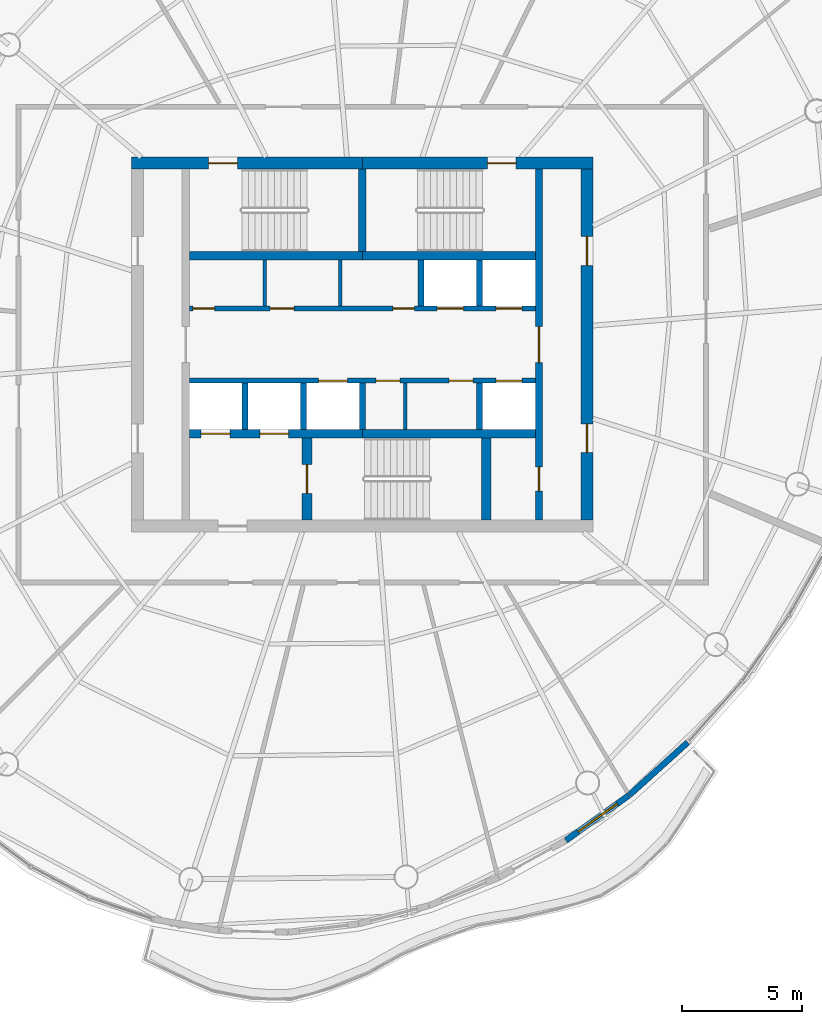
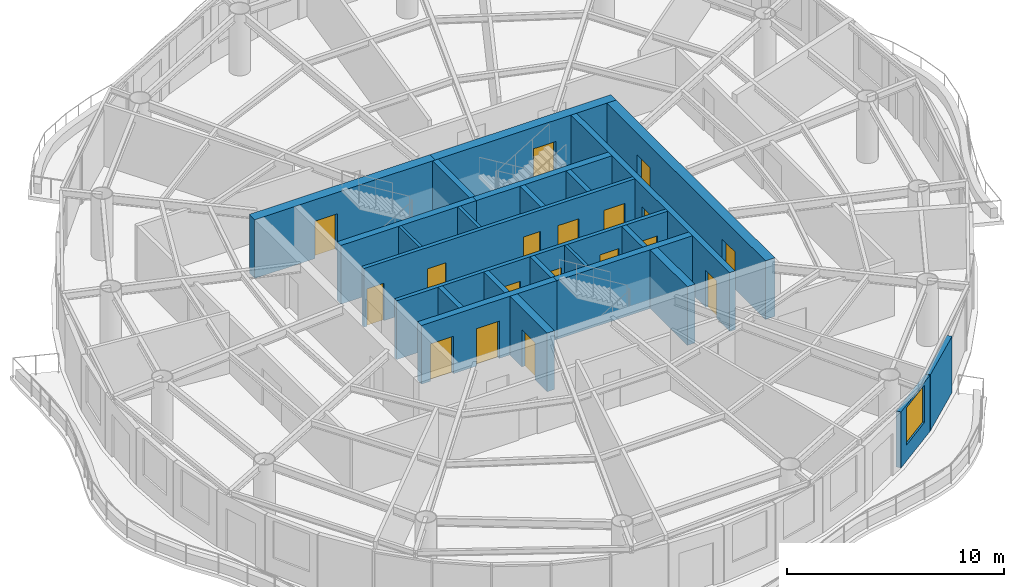
# One storey, part 9 of 14: 24 walls, 18 doors, 1 window, 19 openings.
"""IFC4 building model written with IfcOpenShell, lengths in metres."""

from ifc_helpers import new_model, si_unit, direction, frame, frame_2d, origin, place, context, subcontext, project, spatial, rectangle, extrude, material, layer, layer_set, type_object, element, fill, save


model = new_model("IFC4")

# Units and contexts
model_context = context("Model", 3, precision=1e-05, world=origin(), true_north=direction((0.0, 1.0)))
body_context = subcontext(model_context, "Body", "Model", "MODEL_VIEW")
ifc_project = project(units=[si_unit("LENGTHUNIT", "METRE"), si_unit("AREAUNIT", "SQUARE_METRE"), si_unit("VOLUMEUNIT", "CUBIC_METRE"), si_unit("PLANEANGLEUNIT", "RADIAN"), si_unit("MASSUNIT", "GRAM", prefix="KILO")], contexts=[model_context])

# Site, building, storey
site_placement = place(None, origin())
site = spatial("IfcSite", under=ifc_project, at=site_placement, CompositionType="ELEMENT")
building_placement = place(site_placement, origin())
building = spatial("IfcBuilding", under=site, at=building_placement, Name="Vermilion Reach Broadcast Tower", CompositionType="ELEMENT")
storey_placement = place(building_placement, frame((0.0, 0.0, 264.89990234375)))
storey = spatial("IfcBuildingStorey", under=building, at=storey_placement, Name="L65", CompositionType="ELEMENT", Elevation=264.89990234375)

# Wall, openings, doors
ifc_material_1 = material(Name="Concrete C50", Category="concrete")
ifc_layer_1 = layer(ifc_material_1, 0.300048828125)
ifc_layer_set_1 = layer_set([ifc_layer_1], Name="Core inner wall 300 mm Concrete C50")
wall_type_1 = type_object("IfcWallType", Name="Core inner wall 300 mm Concrete C50", PredefinedType="SHEAR", material=ifc_layer_set_1)
wall_1_placement = place(storey_placement, frame((1.35009765625, -7.300048828125, 0.0), z_axis=(0.0, 0.0, 1.0), x_axis=(0.0, 1.0, 0.0)))
wall_1 = element("IfcWall", 1, at=wall_1_placement, inside=storey, type_object=wall_type_1, Name="L65 core wall ewE", PredefinedType="SHEAR", context=body_context, shape_type="SweptSolid", body=[
    extrude(rectangle(XDim=14.60009765625, YDim=0.300048828125, at=frame_2d((7.300048828125, 0.0))), origin(), (0.0, 0.0, 1.0), 3.300048828125),
])
opening_1_placement = place(wall_1_placement, frame((1.2099609375, 0.0, 0.0)))
opening_1 = element("IfcOpeningElement", 2, at=opening_1_placement, cuts=wall_1, Name="Opening D05", PredefinedType="OPENING", context=body_context, shape_type="SweptSolid", body=[
    extrude(rectangle(XDim=1.0, YDim=2.10009765625, at=frame_2d((0.5, 1.050048828125))), frame((0.0, 0.159912109375, 0.0), z_axis=(0.0, -1.0, 0.0), x_axis=(1.0, 0.0, 0.0)), (0.0, 0.0, 1.0), 0.320068359375),
])
opening_2_placement = place(wall_1_placement, frame((6.550048828125, 0.0, 0.0)))
opening_2 = element("IfcOpeningElement", 3, at=opening_2_placement, cuts=wall_1, Name="Opening D04", PredefinedType="OPENING", context=body_context, shape_type="SweptSolid", body=[
    extrude(rectangle(XDim=1.5, YDim=2.10009765625, at=frame_2d((0.75, 1.050048828125))), frame((0.0, 0.159912109375, 0.0), z_axis=(0.0, -1.0, 0.0), x_axis=(1.0, 0.0, 0.0)), (0.0, 0.0, 1.0), 0.320068359375),
])
ifc_material_2 = material(Name="Painted steel fire door", Category="steel")
door_type_1 = type_object("IfcDoorType", Name="Lift lobby door 1500 x 2100", OperationType="DOUBLE_DOOR_SINGLE_SWING", PredefinedType="NOTDEFINED", material=ifc_material_2)
door_1_placement = place(opening_2_placement, origin())
door_1 = element("IfcDoor", 4, at=door_1_placement, inside=storey, type_object=door_type_1, Name="L65 band door BE", OperationType="DOUBLE_DOOR_SINGLE_SWING", OverallHeight=2.10009765625, OverallWidth=1.5, PredefinedType="NOTDEFINED", context=body_context, shape_type="SweptSolid", body=[
    extrude(rectangle(XDim=1.5, YDim=2.10009765625, at=frame_2d((0.75, 1.050048828125))), frame((0.0, 0.02490234375, 0.0), z_axis=(0.0, -1.0, 0.0), x_axis=(1.0, 0.0, 0.0)), (0.0, 0.0, 1.0), 0.050048828125),
])
fill(opening_2, door_1)
ifc_material_3 = material(Name="Timber door", Category="wood")
door_type_2 = type_object("IfcDoorType", Name="Room door 1000 x 2100", OperationType="NOTDEFINED", PredefinedType="NOTDEFINED", material=ifc_material_3)
door_2_placement = place(opening_1_placement, origin())
door_2 = element("IfcDoor", 5, at=door_2_placement, inside=storey, type_object=door_type_2, Name="L65 door SER", OperationType="SINGLE_SWING_LEFT", OverallHeight=2.10009765625, OverallWidth=1.0, PredefinedType="NOTDEFINED", context=body_context, shape_type="SweptSolid", body=[
    extrude(rectangle(XDim=1.0, YDim=2.10009765625, at=frame_2d((0.5, 1.050048828125))), frame((0.0, 0.02490234375, 0.0), z_axis=(0.0, -1.0, 0.0), x_axis=(1.0, 0.0, 0.0)), (0.0, 0.0, 1.0), 0.050048828125),
])
fill(opening_1, door_2)

# Walls
wall_2_placement = place(storey_placement, frame((-6.0, 3.8798828125, 0.0), z_axis=(0.0, 0.0, 1.0), x_axis=(0.0, 1.0, 0.0)))
element("IfcWall", 6, at=wall_2_placement, inside=storey, type_object=wall_type_1, Name="L65 core wall wc", PredefinedType="SHEAR", context=body_context, shape_type="SweptSolid", body=[
    extrude(rectangle(XDim=3.420166015625, YDim=0.300048828125, at=frame_2d((1.7099609375, 0.0))), origin(), (0.0, 0.0, 1.0), 3.300048828125),
])
ifc_material_4 = material(Name="Concrete C50", Category="concrete")
ifc_layer_2 = layer(ifc_material_4, 0.35009765625)
ifc_layer_set_2 = layer_set([ifc_layer_2], Name="Core inner wall 350 mm Concrete C50")
wall_type_2 = type_object("IfcWallType", Name="Core inner wall 350 mm Concrete C50", PredefinedType="SHEAR", material=ifc_layer_set_2)
for number, where, z_axis, x_axis, name in (
    (7, (-13.199951171875, 3.705078125, 0.0), (0.0, 0.0, 1.0), (1.0, 0.0, 0.0), "L65 core wall winW"),
    (8, (-6.0, 3.705078125, 0.0), (0.0, 0.0, 1.0), (1.0, 0.0, 0.0), "L65 core wall winE"),
):
    element("IfcWall", number, at=place(storey_placement, frame(where, z_axis=z_axis, x_axis=x_axis)), inside=storey, type_object=wall_type_2, Name=name, PredefinedType="SHEAR", context=body_context, shape_type="SweptSolid", body=[
        extrude(rectangle(XDim=7.199951171875, YDim=0.35009765625, at=frame_2d((3.60009765625, 0.0))), origin(), (0.0, 0.0, 1.0), 3.300048828125),
    ])

# Wall, openings, doors
wall_3_placement = place(storey_placement, frame((-13.199951171875, -3.705078125, 0.0), z_axis=(0.0, 0.0, 1.0), x_axis=(1.0, 0.0, 0.0)))
wall_3 = element("IfcWall", 9, at=wall_3_placement, inside=storey, type_object=wall_type_2, Name="L65 core wall wisW", PredefinedType="SHEAR", context=body_context, shape_type="SweptSolid", body=[
    extrude(rectangle(XDim=7.199951171875, YDim=0.35009765625, at=frame_2d((3.60009765625, 0.0))), origin(), (0.0, 0.0, 1.0), 3.300048828125),
])
opening_3_placement = place(wall_3_placement, frame((0.495849609375, 0.0, 0.0)))
opening_3 = element("IfcOpeningElement", 10, at=opening_3_placement, cuts=wall_3, Name="Opening LD1", PredefinedType="OPENING", context=body_context, shape_type="SweptSolid", body=[
    extrude(rectangle(XDim=1.199951171875, YDim=2.10009765625, at=frame_2d((0.60009765625, 1.050048828125))), frame((0.0, 0.18505859375, 0.0), z_axis=(0.0, -1.0, 0.0), x_axis=(1.0, 0.0, 0.0)), (0.0, 0.0, 1.0), 0.3701171875),
])
opening_4_placement = place(wall_3_placement, frame((2.9375, 0.0, 0.0)))
opening_4 = element("IfcOpeningElement", 11, at=opening_4_placement, cuts=wall_3, Name="Opening LD1", PredefinedType="OPENING", context=body_context, shape_type="SweptSolid", body=[
    extrude(rectangle(XDim=1.199951171875, YDim=2.10009765625, at=frame_2d((0.60009765625, 1.050048828125))), frame((0.0, 0.18505859375, 0.0), z_axis=(0.0, -1.0, 0.0), x_axis=(1.0, 0.0, 0.0)), (0.0, 0.0, 1.0), 0.3701171875),
])
ifc_material_5 = material(Name="Stainless steel", Category="steel")
door_type_3 = type_object("IfcDoorType", Name="Landing door 1200 x 2100", OperationType="DOUBLE_DOOR_SLIDING", PredefinedType="NOTDEFINED", material=ifc_material_5)
door_3_placement = place(opening_3_placement, origin())
door_3 = element("IfcDoor", 12, at=door_3_placement, inside=storey, type_object=door_type_3, Name="L65 landing door FF1", OperationType="DOUBLE_DOOR_SLIDING", OverallHeight=2.10009765625, OverallWidth=1.199951171875, PredefinedType="NOTDEFINED", context=body_context, shape_type="SweptSolid", body=[
    extrude(rectangle(XDim=1.199951171875, YDim=2.10009765625, at=frame_2d((0.60009765625, 1.050048828125))), frame((0.0, 0.02490234375, 0.0), z_axis=(0.0, -1.0, 0.0), x_axis=(1.0, 0.0, 0.0)), (0.0, 0.0, 1.0), 0.050048828125),
])
fill(opening_3, door_3)
door_4_placement = place(opening_4_placement, origin())
door_4 = element("IfcDoor", 13, at=door_4_placement, inside=storey, type_object=door_type_3, Name="L65 landing door FF2", OperationType="DOUBLE_DOOR_SLIDING", OverallHeight=2.10009765625, OverallWidth=1.199951171875, PredefinedType="NOTDEFINED", context=body_context, shape_type="SweptSolid", body=[
    extrude(rectangle(XDim=1.199951171875, YDim=2.10009765625, at=frame_2d((0.60009765625, 1.050048828125))), frame((0.0, 0.02490234375, 0.0), z_axis=(0.0, -1.0, 0.0), x_axis=(1.0, 0.0, 0.0)), (0.0, 0.0, 1.0), 0.050048828125),
])
fill(opening_4, door_4)

# Wall
wall_4_placement = place(storey_placement, frame((-6.0, -3.705078125, 0.0), z_axis=(0.0, 0.0, 1.0), x_axis=(1.0, 0.0, 0.0)))
element("IfcWall", 14, at=wall_4_placement, inside=storey, type_object=wall_type_2, Name="L65 core wall wisE", PredefinedType="SHEAR", context=body_context, shape_type="SweptSolid", body=[
    extrude(rectangle(XDim=7.199951171875, YDim=0.35009765625, at=frame_2d((3.60009765625, 0.0))), origin(), (0.0, 0.0, 1.0), 3.300048828125),
])

# Wall, opening, door
ifc_material_6 = material(Name="Concrete C50", Category="concrete")
ifc_layer_3 = layer(ifc_material_6, 0.39990234375)
ifc_layer_set_3 = layer_set([ifc_layer_3], Name="Core inner wall 400 mm Concrete C50")
wall_type_3 = type_object("IfcWallType", Name="Core inner wall 400 mm Concrete C50", PredefinedType="SHEAR", material=ifc_layer_set_3)
wall_5_placement = place(storey_placement, frame((-8.300048828125, -3.8798828125, 0.0), z_axis=(0.0, 0.0, 1.0), x_axis=(0.0, -1.0, 0.0)))
wall_5 = element("IfcWall", 15, at=wall_5_placement, inside=storey, type_object=wall_type_3, Name="L65 core wall wa", PredefinedType="SHEAR", context=body_context, shape_type="SweptSolid", body=[
    extrude(rectangle(XDim=3.420166015625, YDim=0.39990234375, at=frame_2d((1.7099609375, 0.0))), origin(), (0.0, 0.0, 1.0), 3.300048828125),
])
opening_5_placement = place(wall_5_placement, frame((1.110107421875, 0.0, 0.0)))
opening_5 = element("IfcOpeningElement", 16, at=opening_5_placement, cuts=wall_5, Name="Opening D01", PredefinedType="OPENING", context=body_context, shape_type="SweptSolid", body=[
    extrude(rectangle(XDim=1.199951171875, YDim=2.10009765625, at=frame_2d((0.60009765625, 1.050048828125))), frame((0.0, 0.2099609375, 0.0), z_axis=(0.0, -1.0, 0.0), x_axis=(1.0, 0.0, 0.0)), (0.0, 0.0, 1.0), 0.419921875),
])
ifc_material_7 = material(Name="Painted steel fire door", Category="steel")
door_type_4 = type_object("IfcDoorType", Name="Stair door 1200 x 2100", OperationType="DOUBLE_DOOR_SINGLE_SWING", PredefinedType="NOTDEFINED", material=ifc_material_7)
door_5_placement = place(opening_5_placement, origin())
door_5 = element("IfcDoor", 17, at=door_5_placement, inside=storey, type_object=door_type_4, Name="L65 stair door ST3", OperationType="DOUBLE_DOOR_SINGLE_SWING", OverallHeight=2.10009765625, OverallWidth=1.199951171875, PredefinedType="NOTDEFINED", context=body_context, shape_type="SweptSolid", body=[
    extrude(rectangle(XDim=1.199951171875, YDim=2.10009765625, at=frame_2d((0.60009765625, 1.050048828125))), frame((0.0, 0.02490234375, 0.0), z_axis=(0.0, -1.0, 0.0), x_axis=(1.0, 0.0, 0.0)), (0.0, 0.0, 1.0), 0.050048828125),
])
fill(opening_5, door_5)

# Wall
wall_6_placement = place(storey_placement, frame((-0.85009765625, -3.8798828125, 0.0), z_axis=(0.0, 0.0, 1.0), x_axis=(0.0, -1.0, 0.0)))
element("IfcWall", 18, at=wall_6_placement, inside=storey, type_object=wall_type_3, Name="L65 core wall wb", PredefinedType="SHEAR", context=body_context, shape_type="SweptSolid", body=[
    extrude(rectangle(XDim=3.420166015625, YDim=0.39990234375, at=frame_2d((1.7099609375, 0.0))), origin(), (0.0, 0.0, 1.0), 3.300048828125),
])

# Wall, opening, door
ifc_material_8 = material(Name="Concrete C50", Category="concrete")
ifc_layer_4 = layer(ifc_material_8, 0.5)
ifc_layer_set_4 = layer_set([ifc_layer_4], Name="Core outer wall 500 mm Concrete C50")
wall_type_4 = type_object("IfcWallType", Name="Core outer wall 500 mm Concrete C50", PredefinedType="SHEAR", material=ifc_layer_set_4)
wall_7_placement = place(storey_placement, frame((3.60009765625, 7.550048828125, 0.0), z_axis=(0.0, 0.0, 1.0), x_axis=(-1.0, 0.0, 0.0)))
wall_7 = element("IfcWall", 19, at=wall_7_placement, inside=storey, type_object=wall_type_4, Name="L65 core wall onE", PredefinedType="SHEAR", context=body_context, shape_type="SweptSolid", body=[
    extrude(rectangle(XDim=9.60009765625, YDim=0.5, at=frame_2d((4.800048828125, 0.0))), origin(), (0.0, 0.0, 1.0), 3.300048828125),
])
opening_6_placement = place(wall_7_placement, frame((3.199951171875, 0.0, 0.0)))
opening_6 = element("IfcOpeningElement", 20, at=opening_6_placement, cuts=wall_7, Name="Opening D01", PredefinedType="OPENING", context=body_context, shape_type="SweptSolid", body=[
    extrude(rectangle(XDim=1.199951171875, YDim=2.10009765625, at=frame_2d((0.60009765625, 1.050048828125))), frame((0.0, 0.260009765625, 0.0), z_axis=(0.0, -1.0, 0.0), x_axis=(1.0, 0.0, 0.0)), (0.0, 0.0, 1.0), 0.52001953125),
])
door_6_placement = place(opening_6_placement, origin())
door_6 = element("IfcDoor", 21, at=door_6_placement, inside=storey, type_object=door_type_4, Name="L65 stair door ST2", OperationType="DOUBLE_DOOR_SINGLE_SWING", OverallHeight=2.10009765625, OverallWidth=1.199951171875, PredefinedType="NOTDEFINED", context=body_context, shape_type="SweptSolid", body=[
    extrude(rectangle(XDim=1.199951171875, YDim=2.10009765625, at=frame_2d((0.60009765625, 1.050048828125))), frame((0.0, 0.02490234375, 0.0), z_axis=(0.0, -1.0, 0.0), x_axis=(1.0, 0.0, 0.0)), (0.0, 0.0, 1.0), 0.050048828125),
])
fill(opening_6, door_6)

wall_8_placement = place(storey_placement, frame((-6.0, 7.550048828125, 0.0), z_axis=(0.0, 0.0, 1.0), x_axis=(-1.0, 0.0, 0.0)))
wall_8 = element("IfcWall", 22, at=wall_8_placement, inside=storey, type_object=wall_type_4, Name="L65 core wall onW", PredefinedType="SHEAR", context=body_context, shape_type="SweptSolid", body=[
    extrude(rectangle(XDim=9.60009765625, YDim=0.5, at=frame_2d((4.800048828125, 0.0))), origin(), (0.0, 0.0, 1.0), 3.300048828125),
])
opening_7_placement = place(wall_8_placement, frame((5.199951171875, 0.0, 0.0)))
opening_7 = element("IfcOpeningElement", 23, at=opening_7_placement, cuts=wall_8, Name="Opening D01", PredefinedType="OPENING", context=body_context, shape_type="SweptSolid", body=[
    extrude(rectangle(XDim=1.199951171875, YDim=2.10009765625, at=frame_2d((0.60009765625, 1.050048828125))), frame((0.0, 0.260009765625, 0.0), z_axis=(0.0, -1.0, 0.0), x_axis=(1.0, 0.0, 0.0)), (0.0, 0.0, 1.0), 0.52001953125),
])
door_7_placement = place(opening_7_placement, origin())
door_7 = element("IfcDoor", 24, at=door_7_placement, inside=storey, type_object=door_type_4, Name="L65 stair door ST1", OperationType="DOUBLE_DOOR_SINGLE_SWING", OverallHeight=2.10009765625, OverallWidth=1.199951171875, PredefinedType="NOTDEFINED", context=body_context, shape_type="SweptSolid", body=[
    extrude(rectangle(XDim=1.199951171875, YDim=2.10009765625, at=frame_2d((0.60009765625, 1.050048828125))), frame((0.0, 0.02490234375, 0.0), z_axis=(0.0, -1.0, 0.0), x_axis=(1.0, 0.0, 0.0)), (0.0, 0.0, 1.0), 0.050048828125),
])
fill(opening_7, door_7)

# Wall, openings, doors
wall_9_placement = place(storey_placement, frame((3.35009765625, -7.300048828125, 0.0), z_axis=(0.0, 0.0, 1.0), x_axis=(0.0, 1.0, 0.0)))
wall_9 = element("IfcWall", 25, at=wall_9_placement, inside=storey, type_object=wall_type_4, Name="L65 core wall oe", PredefinedType="SHEAR", context=body_context, shape_type="SweptSolid", body=[
    extrude(rectangle(XDim=14.60009765625, YDim=0.5, at=frame_2d((7.300048828125, 0.0))), origin(), (0.0, 0.0, 1.0), 3.300048828125),
])
opening_8_placement = place(wall_9_placement, frame((2.800048828125, 0.0, 0.0)))
opening_8 = element("IfcOpeningElement", 26, at=opening_8_placement, cuts=wall_9, Name="Opening D03", PredefinedType="OPENING", context=body_context, shape_type="SweptSolid", body=[
    extrude(rectangle(XDim=1.199951171875, YDim=2.10009765625, at=frame_2d((0.60009765625, 1.050048828125))), frame((0.0, 0.260009765625, 0.0), z_axis=(0.0, -1.0, 0.0), x_axis=(1.0, 0.0, 0.0)), (0.0, 0.0, 1.0), 0.52001953125),
])
opening_9_placement = place(wall_9_placement, frame((10.60009765625, 0.0, 0.0)))
opening_9 = element("IfcOpeningElement", 27, at=opening_9_placement, cuts=wall_9, Name="Opening D03", PredefinedType="OPENING", context=body_context, shape_type="SweptSolid", body=[
    extrude(rectangle(XDim=1.199951171875, YDim=2.10009765625, at=frame_2d((0.60009765625, 1.050048828125))), frame((0.0, 0.260009765625, 0.0), z_axis=(0.0, -1.0, 0.0), x_axis=(1.0, 0.0, 0.0)), (0.0, 0.0, 1.0), 0.52001953125),
])
ifc_material_9 = material(Name="Painted steel fire door", Category="steel")
door_type_5 = type_object("IfcDoorType", Name="Core lobby door 1200 x 2100", OperationType="DOUBLE_DOOR_SINGLE_SWING", PredefinedType="NOTDEFINED", material=ifc_material_9)
door_8_placement = place(opening_8_placement, origin())
door_8 = element("IfcDoor", 28, at=door_8_placement, inside=storey, type_object=door_type_5, Name="L65 slot door E0", OperationType="DOUBLE_DOOR_SINGLE_SWING", OverallHeight=2.10009765625, OverallWidth=1.199951171875, PredefinedType="NOTDEFINED", context=body_context, shape_type="SweptSolid", body=[
    extrude(rectangle(XDim=1.199951171875, YDim=2.10009765625, at=frame_2d((0.60009765625, 1.050048828125))), frame((0.0, 0.02490234375, 0.0), z_axis=(0.0, -1.0, 0.0), x_axis=(1.0, 0.0, 0.0)), (0.0, 0.0, 1.0), 0.050048828125),
])
fill(opening_8, door_8)
door_9_placement = place(opening_9_placement, origin())
door_9 = element("IfcDoor", 29, at=door_9_placement, inside=storey, type_object=door_type_5, Name="L65 slot door E1", OperationType="DOUBLE_DOOR_SINGLE_SWING", OverallHeight=2.10009765625, OverallWidth=1.199951171875, PredefinedType="NOTDEFINED", context=body_context, shape_type="SweptSolid", body=[
    extrude(rectangle(XDim=1.199951171875, YDim=2.10009765625, at=frame_2d((0.60009765625, 1.050048828125))), frame((0.0, 0.02490234375, 0.0), z_axis=(0.0, -1.0, 0.0), x_axis=(1.0, 0.0, 0.0)), (0.0, 0.0, 1.0), 0.050048828125),
])
fill(opening_9, door_9)

# Walls
ifc_material_10 = material(Name="Masonry block", Category="masonry")
ifc_layer_5 = layer(ifc_material_10, 0.14990234375)
ifc_layer_set_5 = layer_set([ifc_layer_5], Name="Core partition wall 150 mm Masonry block")
wall_type_5 = type_object("IfcWallType", Name="Core partition wall 150 mm Masonry block", PredefinedType="PARTITIONING", material=ifc_layer_set_5)
for number, where, z_axis, x_axis, name in (
    (30, (-10.0595703125, 1.60009765625, 0.0), (0.0, 0.0, 1.0), (0.0, 1.0, 0.0), "L65 core wall prN-4060"),
    (31, (-6.9189453125, 1.60009765625, 0.0), (0.0, 0.0, 1.0), (0.0, 1.0, 0.0), "L65 core wall prN-919"),
    (32, (-4.20703125, -1.60009765625, 0.0), (0.0, 0.0, 1.0), (0.0, -1.0, 0.0), "L65 core wall prS1793"),
):
    element("IfcWall", number, at=place(storey_placement, frame(where, z_axis=z_axis, x_axis=x_axis)), inside=storey, type_object=wall_type_5, Name=name, PredefinedType="PARTITIONING", context=body_context, shape_type="SweptSolid", body=[
        extrude(rectangle(XDim=1.929931640625, YDim=0.14990234375, at=frame_2d((0.96484375, 0.0))), origin(), (0.0, 0.0, 1.0), 3.300048828125),
    ])

# Wall, openings, doors
ifc_material_11 = material(Name="Concrete C50", Category="concrete")
ifc_layer_6 = layer(ifc_material_11, 0.199951171875)
ifc_layer_set_6 = layer_set([ifc_layer_6], Name="Core shaft wall 200 mm Concrete C50")
wall_type_6 = type_object("IfcWallType", Name="Core shaft wall 200 mm Concrete C50", PredefinedType="SHEAR", material=ifc_layer_set_6)
wall_10_placement = place(storey_placement, frame((-13.199951171875, 1.5, 0.0), z_axis=(0.0, 0.0, 1.0), x_axis=(1.0, 0.0, 0.0)))
wall_10 = element("IfcWall", 33, at=wall_10_placement, inside=storey, type_object=wall_type_6, Name="L65 core wall fn", PredefinedType="SHEAR", context=body_context, shape_type="SweptSolid", body=[
    extrude(rectangle(XDim=14.39990234375, YDim=0.199951171875, at=frame_2d((7.199951171875, 0.0))), origin(), (0.0, 0.0, 1.0), 3.300048828125),
])
opening_10_placement = place(wall_10_placement, frame((10.3125, 0.0, 0.0)))
opening_10 = element("IfcOpeningElement", 34, at=opening_10_placement, cuts=wall_10, Name="Opening LD2", PredefinedType="OPENING", context=body_context, shape_type="SweptSolid", body=[
    extrude(rectangle(XDim=1.10009765625, YDim=2.10009765625, at=frame_2d((0.550048828125, 1.050048828125))), frame((0.0, 0.10986328125, 0.0), z_axis=(0.0, -1.0, 0.0), x_axis=(1.0, 0.0, 0.0)), (0.0, 0.0, 1.0), 0.219970703125),
])
opening_11_placement = place(wall_10_placement, frame((12.754150390625, 0.0, 0.0)))
opening_11 = element("IfcOpeningElement", 35, at=opening_11_placement, cuts=wall_10, Name="Opening LD2", PredefinedType="OPENING", context=body_context, shape_type="SweptSolid", body=[
    extrude(rectangle(XDim=1.10009765625, YDim=2.10009765625, at=frame_2d((0.550048828125, 1.050048828125))), frame((0.0, 0.10986328125, 0.0), z_axis=(0.0, -1.0, 0.0), x_axis=(1.0, 0.0, 0.0)), (0.0, 0.0, 1.0), 0.219970703125),
])
opening_12_placement = place(wall_10_placement, frame((0.14990234375, 0.0, 0.0)))
opening_12 = element("IfcOpeningElement", 36, at=opening_12_placement, cuts=wall_10, Name="Opening D06", PredefinedType="OPENING", context=body_context, shape_type="SweptSolid", body=[
    extrude(rectangle(XDim=0.89990234375, YDim=2.10009765625, at=frame_2d((0.449951171875, 1.050048828125))), frame((0.0, 0.10986328125, 0.0), z_axis=(0.0, -1.0, 0.0), x_axis=(1.0, 0.0, 0.0)), (0.0, 0.0, 1.0), 0.219970703125),
])
opening_13_placement = place(wall_10_placement, frame((3.365478515625, 0.0, 0.0)))
opening_13 = element("IfcOpeningElement", 37, at=opening_13_placement, cuts=wall_10, Name="Opening D07", PredefinedType="OPENING", context=body_context, shape_type="SweptSolid", body=[
    extrude(rectangle(XDim=1.0, YDim=2.10009765625, at=frame_2d((0.5, 1.050048828125))), frame((0.0, 0.10986328125, 0.0), z_axis=(0.0, -1.0, 0.0), x_axis=(1.0, 0.0, 0.0)), (0.0, 0.0, 1.0), 0.219970703125),
])
opening_14_placement = place(wall_10_placement, frame((8.466552734375, 0.0, 0.0)))
opening_14 = element("IfcOpeningElement", 38, at=opening_14_placement, cuts=wall_10, Name="Opening D06", PredefinedType="OPENING", context=body_context, shape_type="SweptSolid", body=[
    extrude(rectangle(XDim=0.89990234375, YDim=2.10009765625, at=frame_2d((0.449951171875, 1.050048828125))), frame((0.0, 0.10986328125, 0.0), z_axis=(0.0, -1.0, 0.0), x_axis=(1.0, 0.0, 0.0)), (0.0, 0.0, 1.0), 0.219970703125),
])
ifc_material_12 = material(Name="Timber door", Category="wood")
door_type_6 = type_object("IfcDoorType", Name="Accessible WC door 1000 x 2100", OperationType="NOTDEFINED", PredefinedType="NOTDEFINED", material=ifc_material_12)
door_10_placement = place(opening_13_placement, origin())
door_10 = element("IfcDoor", 39, at=door_10_placement, inside=storey, type_object=door_type_6, Name="L65 door Accessible WC", OperationType="SINGLE_SWING_LEFT", OverallHeight=2.10009765625, OverallWidth=1.0, PredefinedType="NOTDEFINED", context=body_context, shape_type="SweptSolid", body=[
    extrude(rectangle(XDim=1.0, YDim=2.10009765625, at=frame_2d((0.5, 1.050048828125))), frame((0.0, 0.02490234375, 0.0), z_axis=(0.0, -1.0, 0.0), x_axis=(1.0, 0.0, 0.0)), (0.0, 0.0, 1.0), 0.050048828125),
])
fill(opening_13, door_10)
ifc_material_13 = material(Name="Stainless steel", Category="steel")
door_type_7 = type_object("IfcDoorType", Name="Landing door 1100 x 2100", OperationType="DOUBLE_DOOR_SLIDING", PredefinedType="NOTDEFINED", material=ifc_material_13)
door_11_placement = place(opening_10_placement, origin())
door_11 = element("IfcDoor", 40, at=door_11_placement, inside=storey, type_object=door_type_7, Name="L65 landing door HR1", OperationType="DOUBLE_DOOR_SLIDING", OverallHeight=2.10009765625, OverallWidth=1.10009765625, PredefinedType="NOTDEFINED", context=body_context, shape_type="SweptSolid", body=[
    extrude(rectangle(XDim=1.10009765625, YDim=2.10009765625, at=frame_2d((0.550048828125, 1.050048828125))), frame((0.0, 0.02490234375, 0.0), z_axis=(0.0, -1.0, 0.0), x_axis=(1.0, 0.0, 0.0)), (0.0, 0.0, 1.0), 0.050048828125),
])
fill(opening_10, door_11)
door_12_placement = place(opening_11_placement, origin())
door_12 = element("IfcDoor", 41, at=door_12_placement, inside=storey, type_object=door_type_7, Name="L65 landing door HR2", OperationType="DOUBLE_DOOR_SLIDING", OverallHeight=2.10009765625, OverallWidth=1.10009765625, PredefinedType="NOTDEFINED", context=body_context, shape_type="SweptSolid", body=[
    extrude(rectangle(XDim=1.10009765625, YDim=2.10009765625, at=frame_2d((0.550048828125, 1.050048828125))), frame((0.0, 0.02490234375, 0.0), z_axis=(0.0, -1.0, 0.0), x_axis=(1.0, 0.0, 0.0)), (0.0, 0.0, 1.0), 0.050048828125),
])
fill(opening_11, door_12)
ifc_material_14 = material(Name="Timber door", Category="wood")
door_type_8 = type_object("IfcDoorType", Name="WC door 900 x 2100", OperationType="NOTDEFINED", PredefinedType="NOTDEFINED", material=ifc_material_14)
door_13_placement = place(opening_12_placement, origin())
door_13 = element("IfcDoor", 42, at=door_13_placement, inside=storey, type_object=door_type_8, Name="L65 door Male WC", OperationType="SINGLE_SWING_LEFT", OverallHeight=2.10009765625, OverallWidth=0.89990234375, PredefinedType="NOTDEFINED", context=body_context, shape_type="SweptSolid", body=[
    extrude(rectangle(XDim=0.89990234375, YDim=2.10009765625, at=frame_2d((0.449951171875, 1.050048828125))), frame((0.0, 0.02490234375, 0.0), z_axis=(0.0, -1.0, 0.0), x_axis=(1.0, 0.0, 0.0)), (0.0, 0.0, 1.0), 0.050048828125),
])
fill(opening_12, door_13)
door_14_placement = place(opening_14_placement, origin())
door_14 = element("IfcDoor", 43, at=door_14_placement, inside=storey, type_object=door_type_8, Name="L65 door Female WC", OperationType="SINGLE_SWING_RIGHT", OverallHeight=2.10009765625, OverallWidth=0.89990234375, PredefinedType="NOTDEFINED", context=body_context, shape_type="SweptSolid", body=[
    extrude(rectangle(XDim=0.89990234375, YDim=2.10009765625, at=frame_2d((0.449951171875, 1.050048828125))), frame((0.0, 0.02490234375, 0.0), z_axis=(0.0, -1.0, 0.0), x_axis=(1.0, 0.0, 0.0)), (0.0, 0.0, 1.0), 0.050048828125),
])
fill(opening_14, door_14)

wall_11_placement = place(storey_placement, frame((1.199951171875, -1.5, 0.0), z_axis=(0.0, 0.0, 1.0), x_axis=(-1.0, 0.0, 0.0)))
wall_11 = element("IfcWall", 44, at=wall_11_placement, inside=storey, type_object=wall_type_6, Name="L65 core wall fs", PredefinedType="SHEAR", context=body_context, shape_type="SweptSolid", body=[
    extrude(rectangle(XDim=14.39990234375, YDim=0.199951171875, at=frame_2d((7.199951171875, 0.0))), origin(), (0.0, 0.0, 1.0), 3.300048828125),
])
opening_15_placement = place(wall_11_placement, frame((7.82080078125, 0.0, 0.0)))
opening_15 = element("IfcOpeningElement", 45, at=opening_15_placement, cuts=wall_11, Name="Opening LD1", PredefinedType="OPENING", context=body_context, shape_type="SweptSolid", body=[
    extrude(rectangle(XDim=1.199951171875, YDim=2.10009765625, at=frame_2d((0.60009765625, 1.050048828125))), frame((0.0, 0.10986328125, 0.0), z_axis=(0.0, -1.0, 0.0), x_axis=(1.0, 0.0, 0.0)), (0.0, 0.0, 1.0), 0.219970703125),
])
opening_16_placement = place(wall_11_placement, frame((0.5458984375, 0.0, 0.0)))
opening_16 = element("IfcOpeningElement", 46, at=opening_16_placement, cuts=wall_11, Name="Opening LD2", PredefinedType="OPENING", context=body_context, shape_type="SweptSolid", body=[
    extrude(rectangle(XDim=1.10009765625, YDim=2.10009765625, at=frame_2d((0.550048828125, 1.050048828125))), frame((0.0, 0.10986328125, 0.0), z_axis=(0.0, -1.0, 0.0), x_axis=(1.0, 0.0, 0.0)), (0.0, 0.0, 1.0), 0.219970703125),
])
opening_17_placement = place(wall_11_placement, frame((5.632080078125, 0.0, 0.0)))
opening_17 = element("IfcOpeningElement", 47, at=opening_17_placement, cuts=wall_11, Name="Opening D11", PredefinedType="OPENING", context=body_context, shape_type="SweptSolid", body=[
    extrude(rectangle(XDim=1.0, YDim=2.10009765625, at=frame_2d((0.5, 1.050048828125))), frame((0.0, 0.10986328125, 0.0), z_axis=(0.0, -1.0, 0.0), x_axis=(1.0, 0.0, 0.0)), (0.0, 0.0, 1.0), 0.219970703125),
])
opening_18_placement = place(wall_11_placement, frame((2.591552734375, 0.0, 0.0)))
opening_18 = element("IfcOpeningElement", 48, at=opening_18_placement, cuts=wall_11, Name="Opening D10", PredefinedType="OPENING", context=body_context, shape_type="SweptSolid", body=[
    extrude(rectangle(XDim=1.0, YDim=2.10009765625, at=frame_2d((0.5, 1.050048828125))), frame((0.0, 0.10986328125, 0.0), z_axis=(0.0, -1.0, 0.0), x_axis=(1.0, 0.0, 0.0)), (0.0, 0.0, 1.0), 0.219970703125),
])
door_15_placement = place(opening_16_placement, origin())
door_15 = element("IfcDoor", 49, at=door_15_placement, inside=storey, type_object=door_type_7, Name="L65 landing door HR3", OperationType="DOUBLE_DOOR_SLIDING", OverallHeight=2.10009765625, OverallWidth=1.10009765625, PredefinedType="NOTDEFINED", context=body_context, shape_type="SweptSolid", body=[
    extrude(rectangle(XDim=1.10009765625, YDim=2.10009765625, at=frame_2d((0.550048828125, 1.050048828125))), frame((0.0, 0.02490234375, 0.0), z_axis=(0.0, -1.0, 0.0), x_axis=(1.0, 0.0, 0.0)), (0.0, 0.0, 1.0), 0.050048828125),
])
fill(opening_16, door_15)
door_16_placement = place(opening_15_placement, origin())
door_16 = element("IfcDoor", 50, at=door_16_placement, inside=storey, type_object=door_type_3, Name="L65 landing door SV1", OperationType="DOUBLE_DOOR_SLIDING", OverallHeight=2.10009765625, OverallWidth=1.199951171875, PredefinedType="NOTDEFINED", context=body_context, shape_type="SweptSolid", body=[
    extrude(rectangle(XDim=1.199951171875, YDim=2.10009765625, at=frame_2d((0.60009765625, 1.050048828125))), frame((0.0, 0.02490234375, 0.0), z_axis=(0.0, -1.0, 0.0), x_axis=(1.0, 0.0, 0.0)), (0.0, 0.0, 1.0), 0.050048828125),
])
fill(opening_15, door_16)
ifc_material_15 = material(Name="Painted steel fire door", Category="steel")
door_type_9 = type_object("IfcDoorType", Name="Services room door 1000 x 2100", OperationType="NOTDEFINED", PredefinedType="NOTDEFINED", material=ifc_material_15)
door_17_placement = place(opening_17_placement, origin())
door_17 = element("IfcDoor", 51, at=door_17_placement, inside=storey, type_object=door_type_9, Name="L65 door Electrical room", OperationType="SINGLE_SWING_LEFT", OverallHeight=2.10009765625, OverallWidth=1.0, PredefinedType="NOTDEFINED", context=body_context, shape_type="SweptSolid", body=[
    extrude(rectangle(XDim=1.0, YDim=2.10009765625, at=frame_2d((0.5, 1.050048828125))), frame((0.0, 0.02490234375, 0.0), z_axis=(0.0, -1.0, 0.0), x_axis=(1.0, 0.0, 0.0)), (0.0, 0.0, 1.0), 0.050048828125),
])
fill(opening_17, door_17)
ifc_material_16 = material(Name="Timber door", Category="wood")
door_type_10 = type_object("IfcDoorType", Name="WC lobby door 1000 x 2100", OperationType="NOTDEFINED", PredefinedType="NOTDEFINED", material=ifc_material_16)
door_18_placement = place(opening_18_placement, origin())
door_18 = element("IfcDoor", 52, at=door_18_placement, inside=storey, type_object=door_type_10, Name="L65 door WC lobby", OperationType="SINGLE_SWING_LEFT", OverallHeight=2.10009765625, OverallWidth=1.0, PredefinedType="NOTDEFINED", context=body_context, shape_type="SweptSolid", body=[
    extrude(rectangle(XDim=1.0, YDim=2.10009765625, at=frame_2d((0.5, 1.050048828125))), frame((0.0, 0.02490234375, 0.0), z_axis=(0.0, -1.0, 0.0), x_axis=(1.0, 0.0, 0.0)), (0.0, 0.0, 1.0), 0.050048828125),
])
fill(opening_18, door_18)

# Walls
ifc_material_17 = material(Name="Concrete C50", Category="concrete")
ifc_layer_7 = layer(ifc_material_17, 0.25)
ifc_layer_set_7 = layer_set([ifc_layer_7], Name="Core shaft wall 250 mm Concrete C50")
wall_type_7 = type_object("IfcWallType", Name="Core shaft wall 250 mm Concrete C50", PredefinedType="SHEAR", material=ifc_layer_set_7)
for number, where, z_axis, x_axis, name in (
    (53, (-3.558349609375, 1.60009765625, 0.0), (0.0, 0.0, 1.0), (0.0, 1.0, 0.0), "L65 core wall psN3"),
    (54, (-1.11669921875, 1.60009765625, 0.0), (0.0, 0.0, 1.0), (0.0, 1.0, 0.0), "L65 core wall psN4"),
    (55, (-10.88330078125, -1.60009765625, 0.0), (0.0, 0.0, 1.0), (0.0, -1.0, 0.0), "L65 core wall psS0"),
    (56, (-8.441650390625, -1.60009765625, 0.0), (0.0, 0.0, 1.0), (0.0, -1.0, 0.0), "L65 core wall psS1"),
    (57, (-6.0, -1.60009765625, 0.0), (0.0, 0.0, 1.0), (0.0, -1.0, 0.0), "L65 core wall psS2"),
    (58, (-1.11669921875, -1.60009765625, 0.0), (0.0, 0.0, 1.0), (0.0, -1.0, 0.0), "L65 core wall psS4"),
):
    element("IfcWall", number, at=place(storey_placement, frame(where, z_axis=z_axis, x_axis=x_axis)), inside=storey, type_object=wall_type_7, Name=name, PredefinedType="SHEAR", context=body_context, shape_type="SweptSolid", body=[
        extrude(rectangle(XDim=1.929931640625, YDim=0.25, at=frame_2d((0.96484375, 0.0))), origin(), (0.0, 0.0, 1.0), 3.300048828125),
    ])

# Wall, opening, window
ifc_material_18 = material(Name="Terracotta rainscreen cladding", Category="masonry")
ifc_layer_8 = layer(ifc_material_18, 0.25)
ifc_layer_set_8 = layer_set([ifc_layer_8], Name="Terracotta rainscreen wall 250")
wall_type_8 = type_object("IfcWallType", Name="Terracotta rainscreen wall 250", PredefinedType="SOLIDWALL", material=ifc_layer_set_8)
wall_12_placement = place(storey_placement, frame((2.4736328125, -20.63037109375, 0.0), z_axis=(0.0, 0.0, 1.0), x_axis=(0.81314194721, 0.582065437634, 0.0)))
wall_12 = element("IfcWall", 59, at=wall_12_placement, inside=storey, type_object=wall_type_8, Name="External wall L65 32", PredefinedType="SOLIDWALL", context=body_context, shape_type="SweptSolid", body=[
    extrude(rectangle(XDim=3.2373046875, YDim=0.25, at=frame_2d((1.61865234375, 0.0))), origin(), (0.0, 0.0, 1.0), 3.150146484375),
])
opening_19_placement = place(wall_12_placement, frame((0.61865234375, 0.0, 0.89990234375)))
opening_19 = element("IfcOpeningElement", 60, at=opening_19_placement, cuts=wall_12, Name="Opening W03", PredefinedType="OPENING", context=body_context, shape_type="SweptSolid", body=[
    extrude(rectangle(XDim=2.0, YDim=2.10009765625, at=frame_2d((1.0, 1.050048828125))), frame((0.0, 0.135009765625, 0.0), z_axis=(0.0, -1.0, 0.0), x_axis=(1.0, 0.0, 0.0)), (0.0, 0.0, 1.0), 0.27001953125),
])
ifc_material_19 = material(Name="Low-e laminated clear glass in aluminium frame", Category="aluminium")
window_type = type_object("IfcWindowType", Name="Punched window 2000 x 2100 sill 900", PartitioningType="SINGLE_PANEL", PredefinedType="WINDOW", material=ifc_material_19)
window_placement = place(opening_19_placement, origin())
window = element("IfcWindow", 61, at=window_placement, inside=storey, type_object=window_type, Name="Window L65 32", OverallHeight=2.10009765625, OverallWidth=2.0, PartitioningType="SINGLE_PANEL", PredefinedType="WINDOW", context=body_context, shape_type="SweptSolid", body=[
    extrude(rectangle(XDim=2.0, YDim=2.10009765625, at=frame_2d((1.0, 1.050048828125))), frame((0.0, 0.030029296875, 0.0), z_axis=(0.0, -1.0, 0.0), x_axis=(1.0, 0.0, 0.0)), (0.0, 0.0, 1.0), 0.06005859375),
])
fill(opening_19, window)

# Wall
wall_13_placement = place(storey_placement, frame((5.123291015625, -18.732177734375, 0.0), z_axis=(0.0, 0.0, 1.0), x_axis=(0.7424824804, 0.669865483734, 0.0)))
element("IfcWall", 62, at=wall_13_placement, inside=storey, type_object=wall_type_8, Name="External wall L65 33", PredefinedType="SOLIDWALL", context=body_context, shape_type="SweptSolid", body=[
    extrude(rectangle(XDim=3.247802734375, YDim=0.25, at=frame_2d((1.6240234375, 0.0))), origin(), (0.0, 0.0, 1.0), 3.150146484375),
])

save(model, "model.ifc")
